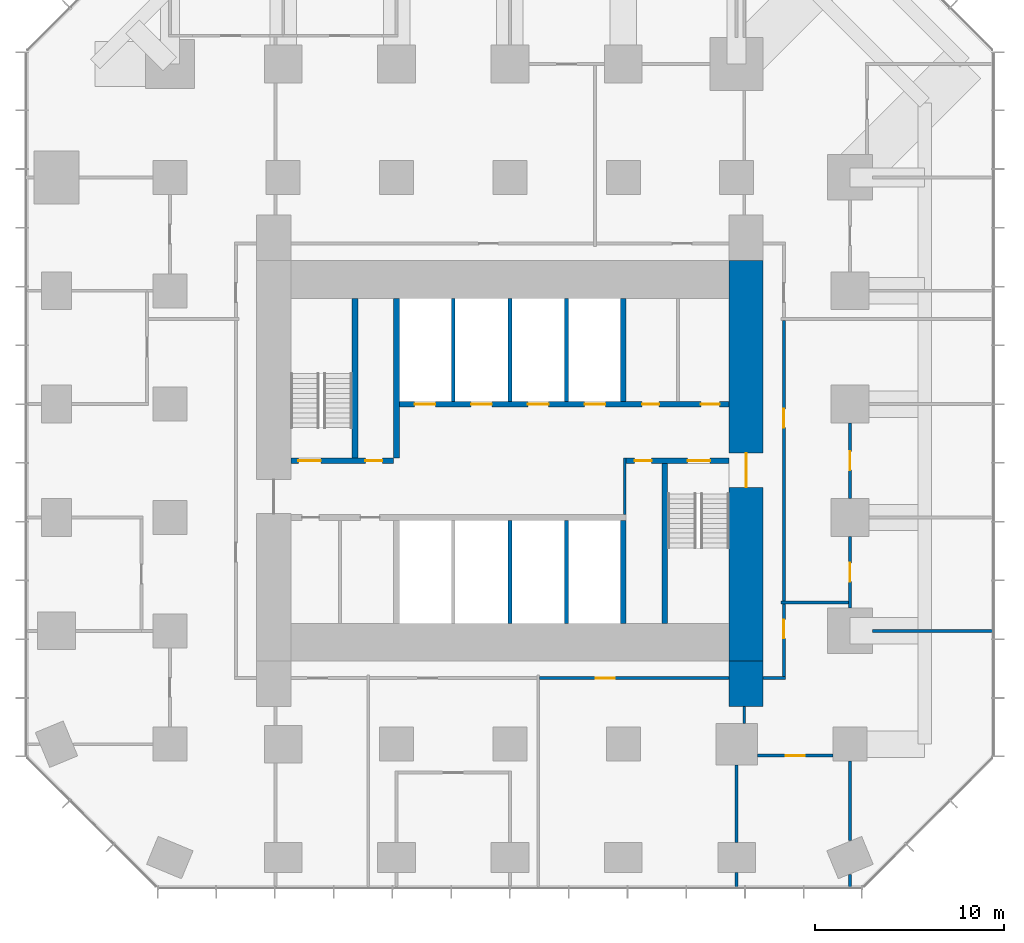
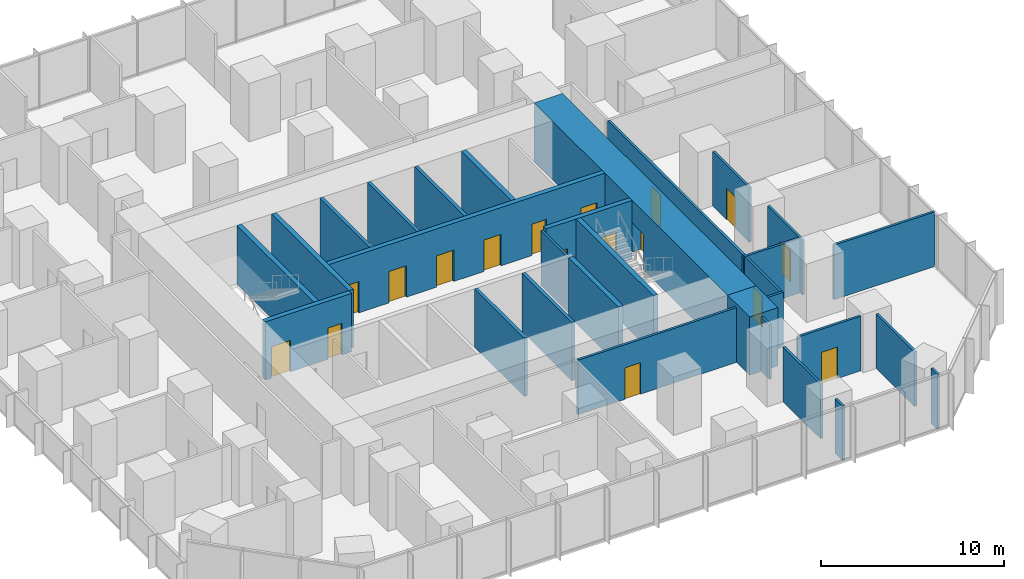
# One storey, part 10 of 13: 30 walls, 17 doors, 17 openings.
"""IFC4 building model written with IfcOpenShell, lengths in metres."""

from ifc_helpers import new_model, si_unit, direction, frame, frame_2d, origin, place, context, subcontext, project, spatial, rectangle, extrude, material, layer, layer_set, type_object, element, fill, save


model = new_model("IFC4")

# Units and contexts
model_context = context("Model", 3, precision=1e-05, world=origin(), true_north=direction((0.0, 1.0)))
body_context = subcontext(model_context, "Body", "Model", "MODEL_VIEW")
ifc_project = project(units=[si_unit("LENGTHUNIT", "METRE"), si_unit("AREAUNIT", "SQUARE_METRE"), si_unit("VOLUMEUNIT", "CUBIC_METRE"), si_unit("PLANEANGLEUNIT", "RADIAN"), si_unit("MASSUNIT", "GRAM", prefix="KILO")], contexts=[model_context])

# Site, building, storey
site_placement = place(None, origin())
site = spatial("IfcSite", under=ifc_project, at=site_placement, CompositionType="ELEMENT")
building_placement = place(site_placement, origin())
building = spatial("IfcBuilding", under=site, at=building_placement, Name="Highveld Stack Headquarters", CompositionType="ELEMENT")
storey_placement = place(building_placement, frame((0.0, 0.0, 84.5)))
storey = spatial("IfcBuildingStorey", under=building, at=storey_placement, Name="L20", CompositionType="ELEMENT", Elevation=84.5)

# Wall, opening, door
ifc_material_1 = material(Name="Concrete C60/75", Category="concrete")
ifc_layer_1 = layer(ifc_material_1, 1.800048828125)
ifc_layer_set_1 = layer_set([ifc_layer_1], Name="Concrete C60/75")
wall_type_1 = type_object("IfcWallType", Name="CORE WALL 1800 C60/75", PredefinedType="SHEAR", material=ifc_layer_set_1)
wall_1_placement = place(storey_placement, frame((18.5, -7.60009765625, 0.0), z_axis=(0.0, 0.0, 1.0), x_axis=(0.0, 1.0, 0.0)))
wall_1 = element("IfcWall", 1, at=wall_1_placement, inside=storey, type_object=wall_type_1, Name="Core wall E L20", PredefinedType="SHEAR", context=body_context, shape_type="SweptSolid", body=[
    extrude(rectangle(XDim=21.2001953125, YDim=1.800048828125, at=frame_2d((10.60009765625, 0.0))), origin(), (0.0, 0.0, 1.0), 3.89990234375),
])
opening_1_placement = place(wall_1_placement, frame((9.199951171875, 0.0, 0.0)))
opening_1 = element("IfcOpeningElement", 2, at=opening_1_placement, cuts=wall_1, Name="Opening L20-02", PredefinedType="OPENING", context=body_context, shape_type="SweptSolid", body=[
    extrude(rectangle(XDim=1.800048828125, YDim=2.39990234375, at=frame_2d((0.89990234375, 1.199951171875))), frame((0.0, 0.909912109375, 0.0), z_axis=(0.0, -1.0, 0.0), x_axis=(1.0, 0.0, 0.0)), (0.0, 0.0, 1.0), 1.820068359375),
])
ifc_material_2 = material(Name="Steel fire door", Category="steel")
door_type_1 = type_object("IfcDoorType", Name="LOBBY FIRE DOOR D4 1800x2400", OperationType="DOUBLE_DOOR_SINGLE_SWING", PredefinedType="DOOR", material=ifc_material_2)
door_1_placement = place(opening_1_placement, origin())
door_1 = element("IfcDoor", 3, at=door_1_placement, inside=storey, type_object=door_type_1, Name="Core east door L20", OperationType="DOUBLE_DOOR_SINGLE_SWING", OverallHeight=2.39990234375, OverallWidth=1.800048828125, PredefinedType="DOOR", context=body_context, shape_type="SweptSolid", body=[
    extrude(rectangle(XDim=1.800048828125, YDim=2.39990234375, at=frame_2d((0.89990234375, 1.199951171875))), frame((0.0, 0.02490234375, 0.0), z_axis=(0.0, -1.0, 0.0), x_axis=(1.0, 0.0, 0.0)), (0.0, 0.0, 1.0), 0.050048828125),
])
fill(opening_1, door_1)

# Wall, openings, doors
ifc_material_3 = material(Name="Concrete C60/75", Category="concrete")
ifc_layer_2 = layer(ifc_material_3, 0.300048828125)
ifc_layer_set_2 = layer_set([ifc_layer_2], Name="Concrete C60/75")
wall_type_2 = type_object("IfcWallType", Name="CORE WALL 300 C60/75", PredefinedType="SHEAR", material=ifc_layer_set_2)
wall_2_placement = place(storey_placement, frame((-5.60009765625, 3.0, 0.0), z_axis=(0.0, 0.0, 1.0), x_axis=(1.0, 0.0, 0.0)))
wall_2 = element("IfcWall", 4, at=wall_2_placement, inside=storey, type_object=wall_type_2, Name="Core wall I-Y3W L20", PredefinedType="SHEAR", context=body_context, shape_type="SweptSolid", body=[
    extrude(rectangle(XDim=5.4501953125, YDim=0.300048828125, at=frame_2d((2.72509765625, 0.0))), origin(), (0.0, 0.0, 1.0), 3.89990234375),
])
opening_2_placement = place(wall_2_placement, frame((0.39990234375, 0.0, 0.0)))
opening_2 = element("IfcOpeningElement", 5, at=opening_2_placement, cuts=wall_2, Name="Opening L20-03", PredefinedType="OPENING", context=body_context, shape_type="SweptSolid", body=[
    extrude(rectangle(XDim=1.199951171875, YDim=2.10009765625, at=frame_2d((0.60009765625, 1.050048828125))), frame((0.0, 0.159912109375, 0.0), z_axis=(0.0, -1.0, 0.0), x_axis=(1.0, 0.0, 0.0)), (0.0, 0.0, 1.0), 0.320068359375),
])
opening_3_placement = place(wall_2_placement, frame((3.949951171875, 0.0, 0.0)))
opening_3 = element("IfcOpeningElement", 6, at=opening_3_placement, cuts=wall_2, Name="Opening L20-04", PredefinedType="OPENING", context=body_context, shape_type="SweptSolid", body=[
    extrude(rectangle(XDim=0.89990234375, YDim=2.10009765625, at=frame_2d((0.449951171875, 1.050048828125))), frame((0.0, 0.159912109375, 0.0), z_axis=(0.0, -1.0, 0.0), x_axis=(1.0, 0.0, 0.0)), (0.0, 0.0, 1.0), 0.320068359375),
])
ifc_material_4 = material(Name="Steel fire door", Category="steel")
door_type_2 = type_object("IfcDoorType", Name="RISER ACCESS DOOR D5 900x2100", OperationType="SINGLE_SWING_LEFT", PredefinedType="DOOR", material=ifc_material_4)
door_2_placement = place(opening_3_placement, origin())
door_2 = element("IfcDoor", 7, at=door_2_placement, inside=storey, type_object=door_type_2, Name="Riser R1 door L20", OperationType="SINGLE_SWING_RIGHT", OverallHeight=2.10009765625, OverallWidth=0.89990234375, PredefinedType="DOOR", context=body_context, shape_type="SweptSolid", body=[
    extrude(rectangle(XDim=0.89990234375, YDim=2.10009765625, at=frame_2d((0.449951171875, 1.050048828125))), frame((0.0, 0.02490234375, 0.0), z_axis=(0.0, -1.0, 0.0), x_axis=(1.0, 0.0, 0.0)), (0.0, 0.0, 1.0), 0.050048828125),
])
fill(opening_3, door_2)
ifc_material_5 = material(Name="Steel fire door", Category="steel")
door_type_3 = type_object("IfcDoorType", Name="STAIR FIRE DOOR D3 1200x2100", OperationType="SINGLE_SWING_LEFT", PredefinedType="DOOR", material=ifc_material_5)
door_3_placement = place(opening_2_placement, origin())
door_3 = element("IfcDoor", 8, at=door_3_placement, inside=storey, type_object=door_type_3, Name="Stair S1 door L20", OperationType="SINGLE_SWING_LEFT", OverallHeight=2.10009765625, OverallWidth=1.199951171875, PredefinedType="DOOR", context=body_context, shape_type="SweptSolid", body=[
    extrude(rectangle(XDim=1.199951171875, YDim=2.10009765625, at=frame_2d((0.60009765625, 1.050048828125))), frame((0.0, 0.02490234375, 0.0), z_axis=(0.0, -1.0, 0.0), x_axis=(1.0, 0.0, 0.0)), (0.0, 0.0, 1.0), 0.050048828125),
])
fill(opening_2, door_3)

wall_3_placement = place(storey_placement, frame((12.14990234375, 3.0, 0.0), z_axis=(0.0, 0.0, 1.0), x_axis=(1.0, 0.0, 0.0)))
wall_3 = element("IfcWall", 9, at=wall_3_placement, inside=storey, type_object=wall_type_2, Name="Core wall I-Y3E L20", PredefinedType="SHEAR", context=body_context, shape_type="SweptSolid", body=[
    extrude(rectangle(XDim=5.4501953125, YDim=0.300048828125, at=frame_2d((2.72509765625, 0.0))), origin(), (0.0, 0.0, 1.0), 3.89990234375),
])
opening_4_placement = place(wall_3_placement, frame((3.25, 0.0, 0.0)))
opening_4 = element("IfcOpeningElement", 10, at=opening_4_placement, cuts=wall_3, Name="Opening L20-05", PredefinedType="OPENING", context=body_context, shape_type="SweptSolid", body=[
    extrude(rectangle(XDim=1.199951171875, YDim=2.10009765625, at=frame_2d((0.60009765625, 1.050048828125))), frame((0.0, 0.159912109375, 0.0), z_axis=(0.0, -1.0, 0.0), x_axis=(1.0, 0.0, 0.0)), (0.0, 0.0, 1.0), 0.320068359375),
])
opening_5_placement = place(wall_3_placement, frame((0.449951171875, 0.0, 0.0)))
opening_5 = element("IfcOpeningElement", 11, at=opening_5_placement, cuts=wall_3, Name="Opening L20-06", PredefinedType="OPENING", context=body_context, shape_type="SweptSolid", body=[
    extrude(rectangle(XDim=0.89990234375, YDim=2.10009765625, at=frame_2d((0.449951171875, 1.050048828125))), frame((0.0, 0.159912109375, 0.0), z_axis=(0.0, -1.0, 0.0), x_axis=(1.0, 0.0, 0.0)), (0.0, 0.0, 1.0), 0.320068359375),
])
door_4_placement = place(opening_5_placement, origin())
door_4 = element("IfcDoor", 12, at=door_4_placement, inside=storey, type_object=door_type_2, Name="Riser R2 door L20", OperationType="SINGLE_SWING_LEFT", OverallHeight=2.10009765625, OverallWidth=0.89990234375, PredefinedType="DOOR", context=body_context, shape_type="SweptSolid", body=[
    extrude(rectangle(XDim=0.89990234375, YDim=2.10009765625, at=frame_2d((0.449951171875, 1.050048828125))), frame((0.0, 0.02490234375, 0.0), z_axis=(0.0, -1.0, 0.0), x_axis=(1.0, 0.0, 0.0)), (0.0, 0.0, 1.0), 0.050048828125),
])
fill(opening_5, door_4)
door_5_placement = place(opening_4_placement, origin())
door_5 = element("IfcDoor", 13, at=door_5_placement, inside=storey, type_object=door_type_3, Name="Stair S2 door L20", OperationType="SINGLE_SWING_RIGHT", OverallHeight=2.10009765625, OverallWidth=1.199951171875, PredefinedType="DOOR", context=body_context, shape_type="SweptSolid", body=[
    extrude(rectangle(XDim=1.199951171875, YDim=2.10009765625, at=frame_2d((0.60009765625, 1.050048828125))), frame((0.0, 0.02490234375, 0.0), z_axis=(0.0, -1.0, 0.0), x_axis=(1.0, 0.0, 0.0)), (0.0, 0.0, 1.0), 0.050048828125),
])
fill(opening_4, door_5)

wall_4_placement = place(storey_placement, frame((-0.14990234375, 6.0, 0.0), z_axis=(0.0, 0.0, 1.0), x_axis=(1.0, 0.0, 0.0)))
wall_4 = element("IfcWall", 14, at=wall_4_placement, inside=storey, type_object=wall_type_2, Name="Core wall I-Y6 L20", PredefinedType="SHEAR", context=body_context, shape_type="SweptSolid", body=[
    extrude(rectangle(XDim=17.75, YDim=0.300048828125, at=frame_2d((8.875, 0.0))), origin(), (0.0, 0.0, 1.0), 3.89990234375),
])
opening_6_placement = place(wall_4_placement, frame((13.14990234375, 0.0, 0.0)))
opening_6 = element("IfcOpeningElement", 15, at=opening_6_placement, cuts=wall_4, Name="Opening L20-09", PredefinedType="OPENING", context=body_context, shape_type="SweptSolid", body=[
    extrude(rectangle(XDim=0.89990234375, YDim=2.10009765625, at=frame_2d((0.449951171875, 1.050048828125))), frame((0.0, 0.159912109375, 0.0), z_axis=(0.0, -1.0, 0.0), x_axis=(1.0, 0.0, 0.0)), (0.0, 0.0, 1.0), 0.320068359375),
])
opening_7_placement = place(wall_4_placement, frame((16.25, 0.0, 0.0)))
opening_7 = element("IfcOpeningElement", 16, at=opening_7_placement, cuts=wall_4, Name="Opening L20-10", PredefinedType="OPENING", context=body_context, shape_type="SweptSolid", body=[
    extrude(rectangle(XDim=1.0, YDim=2.10009765625, at=frame_2d((0.5, 1.050048828125))), frame((0.0, 0.159912109375, 0.0), z_axis=(0.0, -1.0, 0.0), x_axis=(1.0, 0.0, 0.0)), (0.0, 0.0, 1.0), 0.320068359375),
])
opening_8_placement = place(wall_4_placement, frame((1.10009765625, 0.0, 0.0)))
opening_8 = element("IfcOpeningElement", 17, at=opening_8_placement, cuts=wall_4, Name="Opening LD", PredefinedType="OPENING", context=body_context, shape_type="SweptSolid", body=[
    extrude(rectangle(XDim=1.10009765625, YDim=2.10009765625, at=frame_2d((0.550048828125, 1.050048828125))), frame((0.0, 0.159912109375, 0.0), z_axis=(0.0, -1.0, 0.0), x_axis=(1.0, 0.0, 0.0)), (0.0, 0.0, 1.0), 0.320068359375),
])
opening_9_placement = place(wall_4_placement, frame((4.10009765625, 0.0, 0.0)))
opening_9 = element("IfcOpeningElement", 18, at=opening_9_placement, cuts=wall_4, Name="Opening LD", PredefinedType="OPENING", context=body_context, shape_type="SweptSolid", body=[
    extrude(rectangle(XDim=1.10009765625, YDim=2.10009765625, at=frame_2d((0.550048828125, 1.050048828125))), frame((0.0, 0.159912109375, 0.0), z_axis=(0.0, -1.0, 0.0), x_axis=(1.0, 0.0, 0.0)), (0.0, 0.0, 1.0), 0.320068359375),
])
opening_10_placement = place(wall_4_placement, frame((7.10009765625, 0.0, 0.0)))
opening_10 = element("IfcOpeningElement", 19, at=opening_10_placement, cuts=wall_4, Name="Opening LD", PredefinedType="OPENING", context=body_context, shape_type="SweptSolid", body=[
    extrude(rectangle(XDim=1.10009765625, YDim=2.10009765625, at=frame_2d((0.550048828125, 1.050048828125))), frame((0.0, 0.159912109375, 0.0), z_axis=(0.0, -1.0, 0.0), x_axis=(1.0, 0.0, 0.0)), (0.0, 0.0, 1.0), 0.320068359375),
])
opening_11_placement = place(wall_4_placement, frame((10.10009765625, 0.0, 0.0)))
opening_11 = element("IfcOpeningElement", 20, at=opening_11_placement, cuts=wall_4, Name="Opening LD", PredefinedType="OPENING", context=body_context, shape_type="SweptSolid", body=[
    extrude(rectangle(XDim=1.10009765625, YDim=2.10009765625, at=frame_2d((0.550048828125, 1.050048828125))), frame((0.0, 0.159912109375, 0.0), z_axis=(0.0, -1.0, 0.0), x_axis=(1.0, 0.0, 0.0)), (0.0, 0.0, 1.0), 0.320068359375),
])
ifc_material_6 = material(Name="Timber door, painted", Category="wood")
door_type_4 = type_object("IfcDoorType", Name="ACCESSIBLE WC DOOR D2 1000x2100", OperationType="SINGLE_SWING_RIGHT", PredefinedType="DOOR", material=ifc_material_6)
door_6_placement = place(opening_7_placement, origin())
door_6 = element("IfcDoor", 21, at=door_6_placement, inside=storey, type_object=door_type_4, Name="Accessible WC door L20", OperationType="SINGLE_SWING_RIGHT", OverallHeight=2.10009765625, OverallWidth=1.0, PredefinedType="DOOR", context=body_context, shape_type="SweptSolid", body=[
    extrude(rectangle(XDim=1.0, YDim=2.10009765625, at=frame_2d((0.5, 1.050048828125))), frame((0.0, 0.02490234375, 0.0), z_axis=(0.0, -1.0, 0.0), x_axis=(1.0, 0.0, 0.0)), (0.0, 0.0, 1.0), 0.050048828125),
])
fill(opening_7, door_6)
ifc_material_7 = material(Name="Stainless steel lift landing door", Category="steel")
door_type_5 = type_object("IfcDoorType", Name="LIFT LANDING DOOR LD 1100x2100", OperationType="DOUBLE_DOOR_SLIDING", PredefinedType="USERDEFINED", material=ifc_material_7)
door_7_placement = place(opening_8_placement, origin())
door_7 = element("IfcDoor", 22, at=door_7_placement, inside=storey, type_object=door_type_5, Name="Lift landing door FF1 L20", ObjectType="LIFT LANDING DOOR", OperationType="DOUBLE_DOOR_SLIDING", OverallHeight=2.10009765625, OverallWidth=1.10009765625, PredefinedType="USERDEFINED", context=body_context, shape_type="SweptSolid", body=[
    extrude(rectangle(XDim=1.10009765625, YDim=2.10009765625, at=frame_2d((0.550048828125, 1.050048828125))), frame((0.0, 0.02490234375, 0.0), z_axis=(0.0, -1.0, 0.0), x_axis=(1.0, 0.0, 0.0)), (0.0, 0.0, 1.0), 0.050048828125),
])
fill(opening_8, door_7)
door_8_placement = place(opening_9_placement, origin())
door_8 = element("IfcDoor", 23, at=door_8_placement, inside=storey, type_object=door_type_5, Name="Lift landing door FF2 L20", ObjectType="LIFT LANDING DOOR", OperationType="DOUBLE_DOOR_SLIDING", OverallHeight=2.10009765625, OverallWidth=1.10009765625, PredefinedType="USERDEFINED", context=body_context, shape_type="SweptSolid", body=[
    extrude(rectangle(XDim=1.10009765625, YDim=2.10009765625, at=frame_2d((0.550048828125, 1.050048828125))), frame((0.0, 0.02490234375, 0.0), z_axis=(0.0, -1.0, 0.0), x_axis=(1.0, 0.0, 0.0)), (0.0, 0.0, 1.0), 0.050048828125),
])
fill(opening_9, door_8)
door_9_placement = place(opening_10_placement, origin())
door_9 = element("IfcDoor", 24, at=door_9_placement, inside=storey, type_object=door_type_5, Name="Lift landing door A1 L20", ObjectType="LIFT LANDING DOOR", OperationType="DOUBLE_DOOR_SLIDING", OverallHeight=2.10009765625, OverallWidth=1.10009765625, PredefinedType="USERDEFINED", context=body_context, shape_type="SweptSolid", body=[
    extrude(rectangle(XDim=1.10009765625, YDim=2.10009765625, at=frame_2d((0.550048828125, 1.050048828125))), frame((0.0, 0.02490234375, 0.0), z_axis=(0.0, -1.0, 0.0), x_axis=(1.0, 0.0, 0.0)), (0.0, 0.0, 1.0), 0.050048828125),
])
fill(opening_10, door_9)
door_10_placement = place(opening_11_placement, origin())
door_10 = element("IfcDoor", 25, at=door_10_placement, inside=storey, type_object=door_type_5, Name="Lift landing door A2 L20", ObjectType="LIFT LANDING DOOR", OperationType="DOUBLE_DOOR_SLIDING", OverallHeight=2.10009765625, OverallWidth=1.10009765625, PredefinedType="USERDEFINED", context=body_context, shape_type="SweptSolid", body=[
    extrude(rectangle(XDim=1.10009765625, YDim=2.10009765625, at=frame_2d((0.550048828125, 1.050048828125))), frame((0.0, 0.02490234375, 0.0), z_axis=(0.0, -1.0, 0.0), x_axis=(1.0, 0.0, 0.0)), (0.0, 0.0, 1.0), 0.050048828125),
])
fill(opening_11, door_10)
ifc_material_8 = material(Name="Timber door, painted", Category="wood")
door_type_6 = type_object("IfcDoorType", Name="WC DOOR D1 900x2100", OperationType="SINGLE_SWING_LEFT", PredefinedType="DOOR", material=ifc_material_8)
door_11_placement = place(opening_6_placement, origin())
door_11 = element("IfcDoor", 26, at=door_11_placement, inside=storey, type_object=door_type_6, Name="Male WC door L20", OperationType="SINGLE_SWING_RIGHT", OverallHeight=2.10009765625, OverallWidth=0.89990234375, PredefinedType="DOOR", context=body_context, shape_type="SweptSolid", body=[
    extrude(rectangle(XDim=0.89990234375, YDim=2.10009765625, at=frame_2d((0.449951171875, 1.050048828125))), frame((0.0, 0.02490234375, 0.0), z_axis=(0.0, -1.0, 0.0), x_axis=(1.0, 0.0, 0.0)), (0.0, 0.0, 1.0), 0.050048828125),
])
fill(opening_6, door_11)

# Walls
wall_5_placement = place(storey_placement, frame((0.0, 3.14990234375, 0.0), z_axis=(0.0, 0.0, 1.0), x_axis=(0.0, 1.0, 0.0)))
element("IfcWall", 27, at=wall_5_placement, inside=storey, type_object=wall_type_2, Name="Core wall I-X0N L20", PredefinedType="SHEAR", context=body_context, shape_type="SweptSolid", body=[
    extrude(rectangle(XDim=8.4501953125, YDim=0.300048828125, at=frame_2d((4.22509765625, 0.0))), origin(), (0.0, 0.0, 1.0), 3.89990234375),
])
for number, where, z_axis, x_axis, name in (
    (28, (12.0, -5.60009765625, 0.0), (0.0, 0.0, 1.0), (0.0, 1.0, 0.0), "Core wall I-X12S L20"),
    (29, (12.0, 6.14990234375, 0.0), (0.0, 0.0, 1.0), (0.0, 1.0, 0.0), "Core wall I-X12N L20"),
):
    element("IfcWall", number, at=place(storey_placement, frame(where, z_axis=z_axis, x_axis=x_axis)), inside=storey, type_object=wall_type_2, Name=name, PredefinedType="SHEAR", context=body_context, shape_type="SweptSolid", body=[
        extrude(rectangle(XDim=5.4501953125, YDim=0.300048828125, at=frame_2d((2.72509765625, 0.0))), origin(), (0.0, 0.0, 1.0), 3.89990234375),
    ])
for number, where, z_axis, x_axis, name in (
    (30, (-2.199951171875, 3.14990234375, 0.0), (0.0, 0.0, 1.0), (0.0, 1.0, 0.0), "Core wall I-RW L20"),
    (31, (14.199951171875, -5.60009765625, 0.0), (0.0, 0.0, 1.0), (0.0, 1.0, 0.0), "Core wall I-RE L20"),
):
    element("IfcWall", number, at=place(storey_placement, frame(where, z_axis=z_axis, x_axis=x_axis)), inside=storey, type_object=wall_type_2, Name=name, PredefinedType="SHEAR", context=body_context, shape_type="SweptSolid", body=[
        extrude(rectangle(XDim=8.4501953125, YDim=0.300048828125, at=frame_2d((4.22509765625, 0.0))), origin(), (0.0, 0.0, 1.0), 3.89990234375),
    ])
ifc_material_9 = material(Name="Concrete C60/75", Category="concrete")
ifc_layer_3 = layer(ifc_material_9, 1.800048828125)
ifc_layer_set_3 = layer_set([ifc_layer_3], Name="Concrete C60/75")
wall_type_3 = type_object("IfcWallType", Name="CORE WING WALL 1800 C60/75", PredefinedType="SHEAR", material=ifc_layer_set_3)
wall_6_placement = place(storey_placement, frame((18.5, -10.0, 0.0), z_axis=(0.0, 0.0, 1.0), x_axis=(0.0, 1.0, 0.0)))
element("IfcWall", 32, at=wall_6_placement, inside=storey, type_object=wall_type_3, Name="Core wing wall ES L20", PredefinedType="SHEAR", context=body_context, shape_type="SweptSolid", body=[
    extrude(rectangle(XDim=2.39990234375, YDim=1.800048828125, at=frame_2d((1.199951171875, 0.0))), origin(), (0.0, 0.0, 1.0), 3.89990234375),
])
ifc_material_10 = material(Name="Concrete blockwork, plastered", Category="masonry")
ifc_layer_4 = layer(ifc_material_10, 0.14990234375)
ifc_layer_set_4 = layer_set([ifc_layer_4], Name="Concrete blockwork, plastered")
wall_type_4 = type_object("IfcWallType", Name="FIRE PARTITION 150 BLOCKWORK", PredefinedType="PARTITIONING", material=ifc_layer_set_4)
wall_7_placement = place(storey_placement, frame((12.074951171875, 0.14990234375, 0.0), z_axis=(0.0, 0.0, 1.0), x_axis=(0.0, 1.0, 0.0)))
element("IfcWall", 33, at=wall_7_placement, inside=storey, type_object=wall_type_4, Name="Riser R2 enclosure L20", PredefinedType="PARTITIONING", context=body_context, shape_type="SweptSolid", body=[
    extrude(rectangle(XDim=3.0, YDim=0.14990234375, at=frame_2d((1.5, 0.0))), origin(), (0.0, 0.0, 1.0), 3.64990234375),
])

# Wall, opening, door
ifc_material_11 = material(Name="Laminated glass in aluminium frame", Category="aluminium")
ifc_layer_5 = layer(ifc_material_11, 0.14990234375)
ifc_layer_set_5 = layer_set([ifc_layer_5], Name="Laminated glass in aluminium frame")
wall_type_5 = type_object("IfcWallType", Name="GLAZED PARTITION 150", PredefinedType="PARTITIONING", material=ifc_layer_set_5)
wall_8_placement = place(storey_placement, frame((19.10009765625, -12.60009765625, 0.0), z_axis=(0.0, 0.0, 1.0), x_axis=(1.0, 0.0, 0.0)))
wall_8 = element("IfcWall", 34, at=wall_8_placement, inside=storey, type_object=wall_type_5, Name="Glazed partition Video conference room L20", PredefinedType="PARTITIONING", context=body_context, shape_type="SweptSolid", body=[
    extrude(rectangle(XDim=4.0, YDim=0.14990234375, at=frame_2d((2.0, 0.0))), origin(), (0.0, 0.0, 1.0), 3.64990234375),
])
opening_12_placement = place(wall_8_placement, frame((1.5, 0.0, 0.0)))
opening_12 = element("IfcOpeningElement", 35, at=opening_12_placement, cuts=wall_8, Name="Opening L20-12", PredefinedType="OPENING", context=body_context, shape_type="SweptSolid", body=[
    extrude(rectangle(XDim=1.0, YDim=2.10009765625, at=frame_2d((0.5, 1.050048828125))), frame((0.0, 0.0849609375, 0.0), z_axis=(0.0, -1.0, 0.0), x_axis=(1.0, 0.0, 0.0)), (0.0, 0.0, 1.0), 0.169921875),
])
ifc_material_12 = material(Name="Timber door, oiled ash", Category="wood")
door_type_7 = type_object("IfcDoorType", Name="ROOM DOOR D6 1000x2100", OperationType="SINGLE_SWING_LEFT", PredefinedType="DOOR", material=ifc_material_12)
door_12_placement = place(opening_12_placement, origin())
door_12 = element("IfcDoor", 36, at=door_12_placement, inside=storey, type_object=door_type_7, Name="Video conference room door 1 L20", OperationType="SINGLE_SWING_LEFT", OverallHeight=2.10009765625, OverallWidth=1.0, PredefinedType="DOOR", context=body_context, shape_type="SweptSolid", body=[
    extrude(rectangle(XDim=1.0, YDim=2.10009765625, at=frame_2d((0.5, 1.050048828125))), frame((0.0, 0.02490234375, 0.0), z_axis=(0.0, -1.0, 0.0), x_axis=(1.0, 0.0, 0.0)), (0.0, 0.0, 1.0), 0.050048828125),
])
fill(opening_12, door_12)

wall_9_placement = place(storey_placement, frame((24.0, -4.800048828125, 0.0), z_axis=(0.0, 0.0, 1.0), x_axis=(0.0, 1.0, 0.0)))
wall_9 = element("IfcWall", 37, at=wall_9_placement, inside=storey, type_object=wall_type_5, Name="Glazed partition Meeting room L20", PredefinedType="PARTITIONING", context=body_context, shape_type="SweptSolid", body=[
    extrude(rectangle(XDim=3.800048828125, YDim=0.14990234375, at=frame_2d((1.89990234375, 0.0))), origin(), (0.0, 0.0, 1.0), 3.64990234375),
])
opening_13_placement = place(wall_9_placement, frame((1.39990234375, 0.0, 0.0)))
opening_13 = element("IfcOpeningElement", 38, at=opening_13_placement, cuts=wall_9, Name="Opening L20-17", PredefinedType="OPENING", context=body_context, shape_type="SweptSolid", body=[
    extrude(rectangle(XDim=1.0, YDim=2.10009765625, at=frame_2d((0.5, 1.050048828125))), frame((0.0, 0.0849609375, 0.0), z_axis=(0.0, -1.0, 0.0), x_axis=(1.0, 0.0, 0.0)), (0.0, 0.0, 1.0), 0.169921875),
])
door_13_placement = place(opening_13_placement, origin())
door_13 = element("IfcDoor", 39, at=door_13_placement, inside=storey, type_object=door_type_7, Name="Meeting room door 1 L20", OperationType="SINGLE_SWING_LEFT", OverallHeight=2.10009765625, OverallWidth=1.0, PredefinedType="DOOR", context=body_context, shape_type="SweptSolid", body=[
    extrude(rectangle(XDim=1.0, YDim=2.10009765625, at=frame_2d((0.5, 1.050048828125))), frame((0.0, 0.02490234375, 0.0), z_axis=(0.0, -1.0, 0.0), x_axis=(1.0, 0.0, 0.0)), (0.0, 0.0, 1.0), 0.050048828125),
])
fill(opening_13, door_13)

# Walls
ifc_material_13 = material(Name="Concrete blockwork, fair-faced", Category="masonry")
ifc_layer_6 = layer(ifc_material_13, 0.199951171875)
ifc_layer_set_6 = layer_set([ifc_layer_6], Name="Concrete blockwork, fair-faced")
wall_type_6 = type_object("IfcWallType", Name="LIFT SHAFT ENCLOSURE WALL 200 BLOCKWORK", PredefinedType="SOLIDWALL", material=ifc_layer_set_6)
for number, where, z_axis, x_axis, name in (
    (40, (3.0, 6.14990234375, 0.0), (0.0, 0.0, 1.0), (0.0, 1.0, 0.0), "Lift shaft wall L20"),
    (41, (6.0, 6.14990234375, 0.0), (0.0, 0.0, 1.0), (0.0, 1.0, 0.0), "Lift shaft wall L20"),
    (42, (9.0, 6.14990234375, 0.0), (0.0, 0.0, 1.0), (0.0, 1.0, 0.0), "Lift shaft wall L20"),
    (43, (6.0, -5.60009765625, 0.0), (0.0, 0.0, 1.0), (0.0, 1.0, 0.0), "Lift shaft wall L20"),
    (44, (9.0, -5.60009765625, 0.0), (0.0, 0.0, 1.0), (0.0, 1.0, 0.0), "Lift shaft wall L20"),
):
    element("IfcWall", number, at=place(storey_placement, frame(where, z_axis=z_axis, x_axis=x_axis)), inside=storey, type_object=wall_type_6, Name=name, PredefinedType="SOLIDWALL", context=body_context, shape_type="SweptSolid", body=[
        extrude(rectangle(XDim=5.4501953125, YDim=0.199951171875, at=frame_2d((2.72509765625, 0.0))), origin(), (0.0, 0.0, 1.0), 3.89990234375),
    ])
ifc_material_14 = material(Name="Gypsum plasterboard on steel studs", Category="steel")
ifc_layer_7 = layer(ifc_material_14, 0.14990234375)
ifc_layer_set_7 = layer_set([ifc_layer_7], Name="Gypsum plasterboard on steel studs")
wall_type_7 = type_object("IfcWallType", Name="PARTITION 150 PLASTERBOARD", PredefinedType="PARTITIONING", material=ifc_layer_set_7)
wall_10_placement = place(storey_placement, frame((25.199951171875, -6.0, 0.0), z_axis=(0.0, 0.0, 1.0), x_axis=(1.0, 0.0, 0.0)))
element("IfcWall", 45, at=wall_10_placement, inside=storey, type_object=wall_type_7, Name="Partition Meeting room L20", PredefinedType="PARTITIONING", context=body_context, shape_type="SweptSolid", body=[
    extrude(rectangle(XDim=6.400146484375, YDim=0.14990234375, at=frame_2d((3.2001953125, 0.0))), origin(), (0.0, 0.0, 1.0), 3.64990234375),
])
wall_11_placement = place(storey_placement, frame((18.0, -19.60009765625, 0.0), z_axis=(0.0, 0.0, 1.0), x_axis=(0.0, 1.0, 0.0)))
element("IfcWall", 46, at=wall_11_placement, inside=storey, type_object=wall_type_7, Name="Partition Video conference room L20", PredefinedType="PARTITIONING", context=body_context, shape_type="SweptSolid", body=[
    extrude(rectangle(XDim=0.800048828125, YDim=0.14990234375, at=frame_2d((0.39990234375, 0.0))), origin(), (0.0, 0.0, 1.0), 3.64990234375),
])
wall_12_placement = place(storey_placement, frame((18.0, -17.199951171875, 0.0), z_axis=(0.0, 0.0, 1.0), x_axis=(0.0, 1.0, 0.0)))
element("IfcWall", 47, at=wall_12_placement, inside=storey, type_object=wall_type_7, Name="Partition Video conference room L20", PredefinedType="PARTITIONING", context=body_context, shape_type="SweptSolid", body=[
    extrude(rectangle(XDim=4.099853515625, YDim=0.14990234375, at=frame_2d((2.0498046875, 0.0))), origin(), (0.0, 0.0, 1.0), 3.64990234375),
])
wall_13_placement = place(storey_placement, frame((24.0, -19.60009765625, 0.0), z_axis=(0.0, 0.0, 1.0), x_axis=(0.0, 1.0, 0.0)))
element("IfcWall", 48, at=wall_13_placement, inside=storey, type_object=wall_type_7, Name="Partition Video conference room L20", PredefinedType="PARTITIONING", context=body_context, shape_type="SweptSolid", body=[
    extrude(rectangle(XDim=0.703125, YDim=0.14990234375, at=frame_2d((0.3515625, 0.0))), origin(), (0.0, 0.0, 1.0), 3.64990234375),
])
wall_14_placement = place(storey_placement, frame((24.0, -17.10302734375, 0.0), z_axis=(0.0, 0.0, 1.0), x_axis=(0.0, 1.0, 0.0)))
element("IfcWall", 49, at=wall_14_placement, inside=storey, type_object=wall_type_7, Name="Partition Video conference room L20", PredefinedType="PARTITIONING", context=body_context, shape_type="SweptSolid", body=[
    extrude(rectangle(XDim=4.203125, YDim=0.14990234375, at=frame_2d((2.1015625, 0.0))), origin(), (0.0, 0.0, 1.0), 3.64990234375),
])

# Wall, opening, door
wall_15_placement = place(storey_placement, frame((24.0, 1.0, 0.0), z_axis=(0.0, 0.0, 1.0), x_axis=(0.0, 1.0, 0.0)))
wall_15 = element("IfcWall", 50, at=wall_15_placement, inside=storey, type_object=wall_type_7, Name="Partition Office L20", PredefinedType="PARTITIONING", context=body_context, shape_type="SweptSolid", body=[
    extrude(rectangle(XDim=4.0, YDim=0.14990234375, at=frame_2d((2.0, 0.0))), origin(), (0.0, 0.0, 1.0), 3.64990234375),
])
opening_14_placement = place(wall_15_placement, frame((1.5, 0.0, 0.0)))
opening_14 = element("IfcOpeningElement", 51, at=opening_14_placement, cuts=wall_15, Name="Opening L20-18", PredefinedType="OPENING", context=body_context, shape_type="SweptSolid", body=[
    extrude(rectangle(XDim=1.0, YDim=2.10009765625, at=frame_2d((0.5, 1.050048828125))), frame((0.0, 0.0849609375, 0.0), z_axis=(0.0, -1.0, 0.0), x_axis=(1.0, 0.0, 0.0)), (0.0, 0.0, 1.0), 0.169921875),
])
door_14_placement = place(opening_14_placement, origin())
door_14 = element("IfcDoor", 52, at=door_14_placement, inside=storey, type_object=door_type_7, Name="Office door 1 L20", OperationType="SINGLE_SWING_LEFT", OverallHeight=2.10009765625, OverallWidth=1.0, PredefinedType="DOOR", context=body_context, shape_type="SweptSolid", body=[
    extrude(rectangle(XDim=1.0, YDim=2.10009765625, at=frame_2d((0.5, 1.050048828125))), frame((0.0, 0.02490234375, 0.0), z_axis=(0.0, -1.0, 0.0), x_axis=(1.0, 0.0, 0.0)), (0.0, 0.0, 1.0), 0.050048828125),
])
fill(opening_14, door_14)

wall_16_placement = place(storey_placement, frame((17.60009765625, -8.5, 0.0), z_axis=(0.0, 0.0, 1.0), x_axis=(-1.0, 0.0, 0.0)))
wall_16 = element("IfcWall", 53, at=wall_16_placement, inside=storey, type_object=wall_type_7, Name="Partition office neighbourhood L20", PredefinedType="PARTITIONING", context=body_context, shape_type="SweptSolid", body=[
    extrude(rectangle(XDim=10.025146484375, YDim=0.14990234375, at=frame_2d((5.0126953125, 0.0))), origin(), (0.0, 0.0, 1.0), 3.64990234375),
])
opening_15_placement = place(wall_16_placement, frame((6.06494140625, 0.0, 0.0)))
opening_15 = element("IfcOpeningElement", 54, at=opening_15_placement, cuts=wall_16, Name="Opening L20-30", PredefinedType="OPENING", context=body_context, shape_type="SweptSolid", body=[
    extrude(rectangle(XDim=1.0, YDim=2.10009765625, at=frame_2d((0.5, 1.050048828125))), frame((0.0, 0.0849609375, 0.0), z_axis=(0.0, -1.0, 0.0), x_axis=(1.0, 0.0, 0.0)), (0.0, 0.0, 1.0), 0.169921875),
])
door_15_placement = place(opening_15_placement, origin())
door_15 = element("IfcDoor", 55, at=door_15_placement, inside=storey, type_object=door_type_7, Name="Office neighbourhood door L20", OperationType="SINGLE_SWING_RIGHT", OverallHeight=2.10009765625, OverallWidth=1.0, PredefinedType="DOOR", context=body_context, shape_type="SweptSolid", body=[
    extrude(rectangle(XDim=1.0, YDim=2.10009765625, at=frame_2d((0.5, 1.050048828125))), frame((0.0, 0.02490234375, 0.0), z_axis=(0.0, -1.0, 0.0), x_axis=(1.0, 0.0, 0.0)), (0.0, 0.0, 1.0), 0.050048828125),
])
fill(opening_15, door_15)

# Walls
wall_17_placement = place(storey_placement, frame((18.39990234375, -10.89990234375, 0.0), z_axis=(0.0, 0.0, 1.0), x_axis=(0.0, 1.0, 0.0)))
element("IfcWall", 56, at=wall_17_placement, inside=storey, type_object=wall_type_7, Name="Partition office neighbourhood L20", PredefinedType="PARTITIONING", context=body_context, shape_type="SweptSolid", body=[
    extrude(rectangle(XDim=0.89990234375, YDim=0.14990234375, at=frame_2d((0.449951171875, 0.0))), origin(), (0.0, 0.0, 1.0), 3.64990234375),
])
wall_18_placement = place(storey_placement, frame((19.39990234375, -8.5, 0.0), z_axis=(0.0, 0.0, 1.0), x_axis=(1.0, 0.0, 0.0)))
element("IfcWall", 57, at=wall_18_placement, inside=storey, type_object=wall_type_7, Name="Partition office neighbourhood L20", PredefinedType="PARTITIONING", context=body_context, shape_type="SweptSolid", body=[
    extrude(rectangle(XDim=1.175048828125, YDim=0.14990234375, at=frame_2d((0.58740234375, 0.0))), origin(), (0.0, 0.0, 1.0), 3.64990234375),
])

# Wall, opening, door
wall_19_placement = place(storey_placement, frame((20.5, -8.425048828125, 0.0), z_axis=(0.0, 0.0, 1.0), x_axis=(0.0, 1.0, 0.0)))
wall_19 = element("IfcWall", 58, at=wall_19_placement, inside=storey, type_object=wall_type_7, Name="Partition office neighbourhood L20", PredefinedType="PARTITIONING", context=body_context, shape_type="SweptSolid", body=[
    extrude(rectangle(XDim=3.85009765625, YDim=0.14990234375, at=frame_2d((1.925048828125, 0.0))), origin(), (0.0, 0.0, 1.0), 3.64990234375),
])
opening_16_placement = place(wall_19_placement, frame((2.02490234375, 0.0, 0.0)))
opening_16 = element("IfcOpeningElement", 59, at=opening_16_placement, cuts=wall_19, Name="Opening L20-24", PredefinedType="OPENING", context=body_context, shape_type="SweptSolid", body=[
    extrude(rectangle(XDim=1.0, YDim=2.10009765625, at=frame_2d((0.5, 1.050048828125))), frame((0.0, 0.0849609375, 0.0), z_axis=(0.0, -1.0, 0.0), x_axis=(1.0, 0.0, 0.0)), (0.0, 0.0, 1.0), 0.169921875),
])
door_16_placement = place(opening_16_placement, origin())
door_16 = element("IfcDoor", 60, at=door_16_placement, inside=storey, type_object=door_type_7, Name="Office neighbourhood door L20", OperationType="SINGLE_SWING_RIGHT", OverallHeight=2.10009765625, OverallWidth=1.0, PredefinedType="DOOR", context=body_context, shape_type="SweptSolid", body=[
    extrude(rectangle(XDim=1.0, YDim=2.10009765625, at=frame_2d((0.5, 1.050048828125))), frame((0.0, 0.02490234375, 0.0), z_axis=(0.0, -1.0, 0.0), x_axis=(1.0, 0.0, 0.0)), (0.0, 0.0, 1.0), 0.050048828125),
])
fill(opening_16, door_16)

wall_20_placement = place(storey_placement, frame((20.5, -4.425048828125, 0.0), z_axis=(0.0, 0.0, 1.0), x_axis=(0.0, 1.0, 0.0)))
wall_20 = element("IfcWall", 61, at=wall_20_placement, inside=storey, type_object=wall_type_7, Name="Partition office neighbourhood L20", PredefinedType="PARTITIONING", context=body_context, shape_type="SweptSolid", body=[
    extrude(rectangle(XDim=14.85009765625, YDim=0.14990234375, at=frame_2d((7.425048828125, 0.0))), origin(), (0.0, 0.0, 1.0), 3.64990234375),
])
opening_17_placement = place(wall_20_placement, frame((9.175048828125, 0.0, 0.0)))
opening_17 = element("IfcOpeningElement", 62, at=opening_17_placement, cuts=wall_20, Name="Opening L20-26", PredefinedType="OPENING", context=body_context, shape_type="SweptSolid", body=[
    extrude(rectangle(XDim=1.0, YDim=2.10009765625, at=frame_2d((0.5, 1.050048828125))), frame((0.0, 0.0849609375, 0.0), z_axis=(0.0, -1.0, 0.0), x_axis=(1.0, 0.0, 0.0)), (0.0, 0.0, 1.0), 0.169921875),
])
door_17_placement = place(opening_17_placement, origin())
door_17 = element("IfcDoor", 63, at=door_17_placement, inside=storey, type_object=door_type_7, Name="Office neighbourhood door L20", OperationType="SINGLE_SWING_RIGHT", OverallHeight=2.10009765625, OverallWidth=1.0, PredefinedType="DOOR", context=body_context, shape_type="SweptSolid", body=[
    extrude(rectangle(XDim=1.0, YDim=2.10009765625, at=frame_2d((0.5, 1.050048828125))), frame((0.0, 0.02490234375, 0.0), z_axis=(0.0, -1.0, 0.0), x_axis=(1.0, 0.0, 0.0)), (0.0, 0.0, 1.0), 0.050048828125),
])
fill(opening_17, door_17)

# Wall
wall_21_placement = place(storey_placement, frame((20.35009765625, -4.5, 0.0), z_axis=(0.0, 0.0, 1.0), x_axis=(1.0, 0.0, 0.0)))
element("IfcWall", 64, at=wall_21_placement, inside=storey, type_object=wall_type_7, Name="Partition office neighbourhood L20", PredefinedType="PARTITIONING", context=body_context, shape_type="SweptSolid", body=[
    extrude(rectangle(XDim=3.574951171875, YDim=0.14990234375, at=frame_2d((1.78759765625, 0.0))), origin(), (0.0, 0.0, 1.0), 3.64990234375),
])

save(model, "model.ifc")
